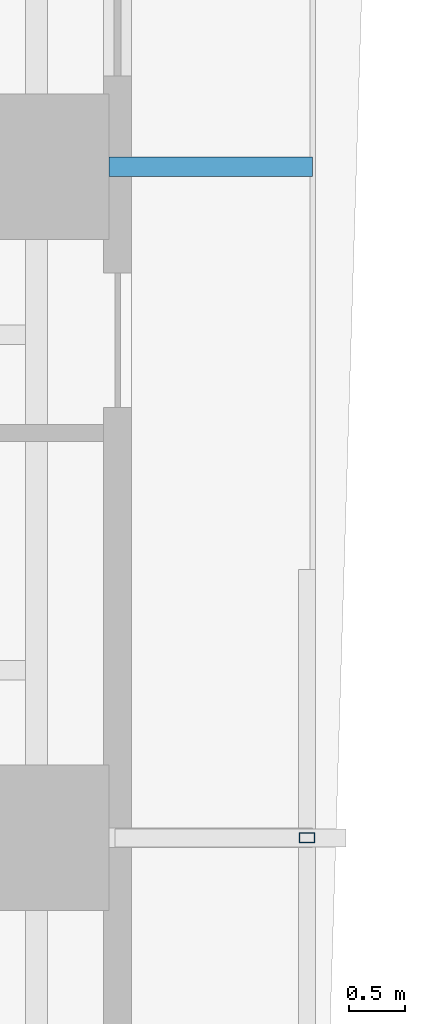
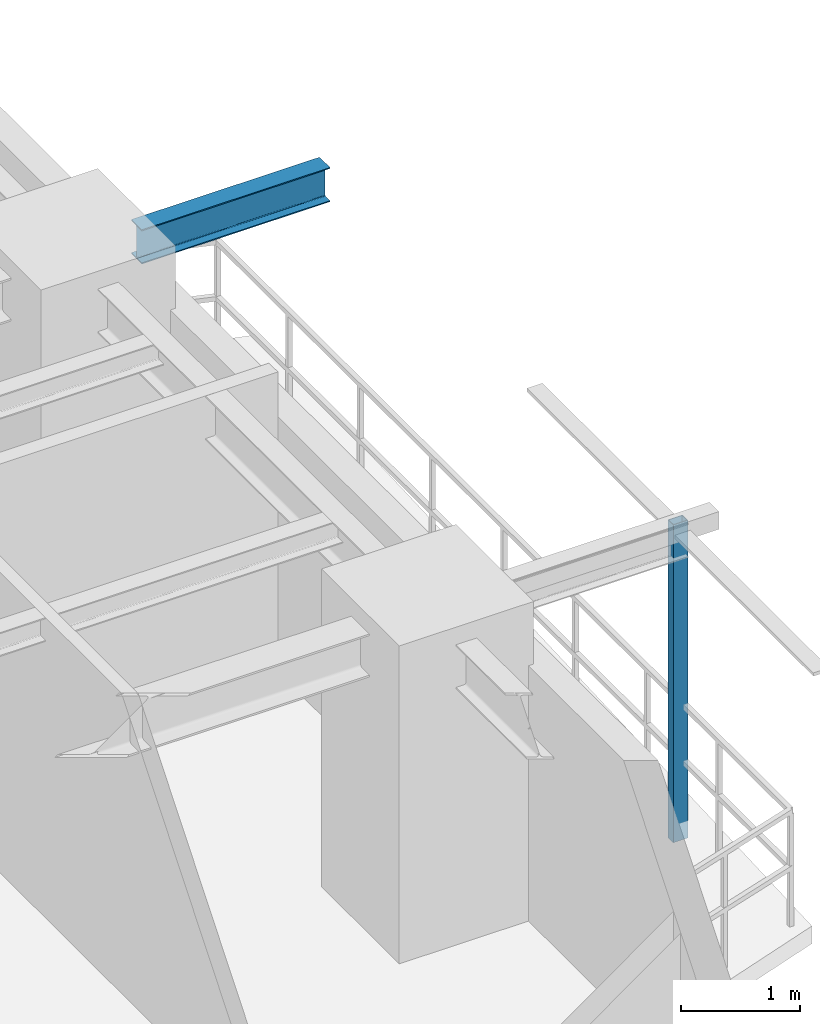
# One storey, part 7 of 24: 1 beam, 1 member.
"""IFC4 building model written with IfcOpenShell, lengths in metres."""

from ifc_helpers import new_model, si_unit, direction, frame, origin, origin_2d, place, context, subcontext, project, spatial, hollow_rectangle, i_section, extrude, source, transform, mapped, material, material_profile, profile_set, type_object, element, save


model = new_model("IFC4")

# Units and contexts
model_context = context("Model", 3, precision=1e-05, world=origin(), true_north=direction((0.0, 1.0)))
body_context = subcontext(model_context, "Body", "Model", "MODEL_VIEW")
ifc_project = project(units=[si_unit("LENGTHUNIT", "METRE"), si_unit("AREAUNIT", "SQUARE_METRE"), si_unit("VOLUMEUNIT", "CUBIC_METRE"), si_unit("PLANEANGLEUNIT", "RADIAN"), si_unit("MASSUNIT", "GRAM", prefix="KILO"), si_unit("THERMODYNAMICTEMPERATUREUNIT", "KELVIN"), si_unit("POWERUNIT", "WATT")], contexts=[model_context])

# Site, building, storey
site_placement = place(None, origin())
site = spatial("IfcSite", under=ifc_project, at=site_placement, CompositionType="ELEMENT")
building_placement = place(site_placement, origin())
building = spatial("IfcBuilding", under=site, at=building_placement, Name="Qiaomeng Ring Towers", CompositionType="ELEMENT")
storey_placement = place(building_placement, frame((0.0, 0.0, 69.75)))
storey = spatial("IfcBuildingStorey", under=building, at=storey_placement, Name="L19", CompositionType="ELEMENT", Elevation=69.75)

# Beam
ifc_material_1 = material(Name="Steel Q355B", Category="steel")
ifc_material_profile_1 = material_profile(ifc_material_1, i_section(OverallWidth=0.175048828125, OverallDepth=0.35009765625, WebThickness=0.007080078125, FlangeThickness=0.010986328125, FilletRadius=0.013916015625, at=origin_2d()), Name="HN 350x175x7x11")
ifc_profile_set_1 = profile_set([ifc_material_profile_1], Name="Steel Q355B")
beam_type = type_object("IfcBeamType", Name="STR-BM-HN350", PredefinedType="JOIST", material=ifc_profile_set_1)
shared_shape_1 = source(origin(), body_context, "Body", "SweptSolid", [
    extrude(i_section(OverallWidth=0.175048828125, OverallDepth=0.35009765625, WebThickness=0.007080078125, FlangeThickness=0.010986328125, FilletRadius=0.013916015625, at=origin_2d()), origin(), (0.0, 0.0, 1.0), 1.821044921875),
])
beam_placement = place(storey_placement, frame((37.799072265625, 26.0, 2.89501953125), z_axis=(1.0, 0.0, 0.0), x_axis=(0.0, 1.0, 0.0)))
element("IfcBeam", 1, at=beam_placement, inside=storey, type_object=beam_type, Name="L19 beam STR-BALBM-L19-E3", PredefinedType="JOIST", context=body_context, shape_type="MappedRepresentation", body=[
    mapped(shared_shape_1, transform((0.0, 0.0, 0.0), x_axis=(1.0, 0.0, 0.0), y_axis=(0.0, 1.0, 0.0), z_axis=(0.0, 0.0, 1.0), scale=1.0)),
])

# Member
ifc_material_2 = material(Name="Stainless steel 316", Category="steel")
ifc_material_profile_2 = material_profile(ifc_material_2, hollow_rectangle(XDim=0.090087890625, YDim=0.139892578125, WallThickness=0.0048828125, at=origin_2d()), Name="SS TRELLIS 90x140")
ifc_profile_set_2 = profile_set([ifc_material_profile_2], Name="Stainless steel 316")
member_type = type_object("IfcMemberType", Name="ARC-TR-POST1", PredefinedType="STUD", material=ifc_profile_set_2)
shared_shape_2 = source(origin(), body_context, "Body", "SweptSolid", [
    extrude(hollow_rectangle(XDim=0.090087890625, YDim=0.139892578125, WallThickness=0.0048828125, at=origin_2d()), origin(), (0.0, 0.0, 1.0), 3.25),
])
member_placement = place(storey_placement, frame((39.570068359375, 20.0, -0.179931640625), z_axis=(0.0, 0.0, 1.0), x_axis=(0.0, 1.0, 0.0)))
element("IfcMember", 2, at=member_placement, inside=storey, type_object=member_type, Name="L19 Outer Ventilated Trellis Post E", PredefinedType="STUD", context=body_context, shape_type="MappedRepresentation", body=[
    mapped(shared_shape_2, transform((0.0, 0.0, 0.0), x_axis=(1.0, 0.0, 0.0), y_axis=(0.0, 1.0, 0.0), z_axis=(0.0, 0.0, 1.0), scale=1.0)),
])

save(model, "model.ifc")
